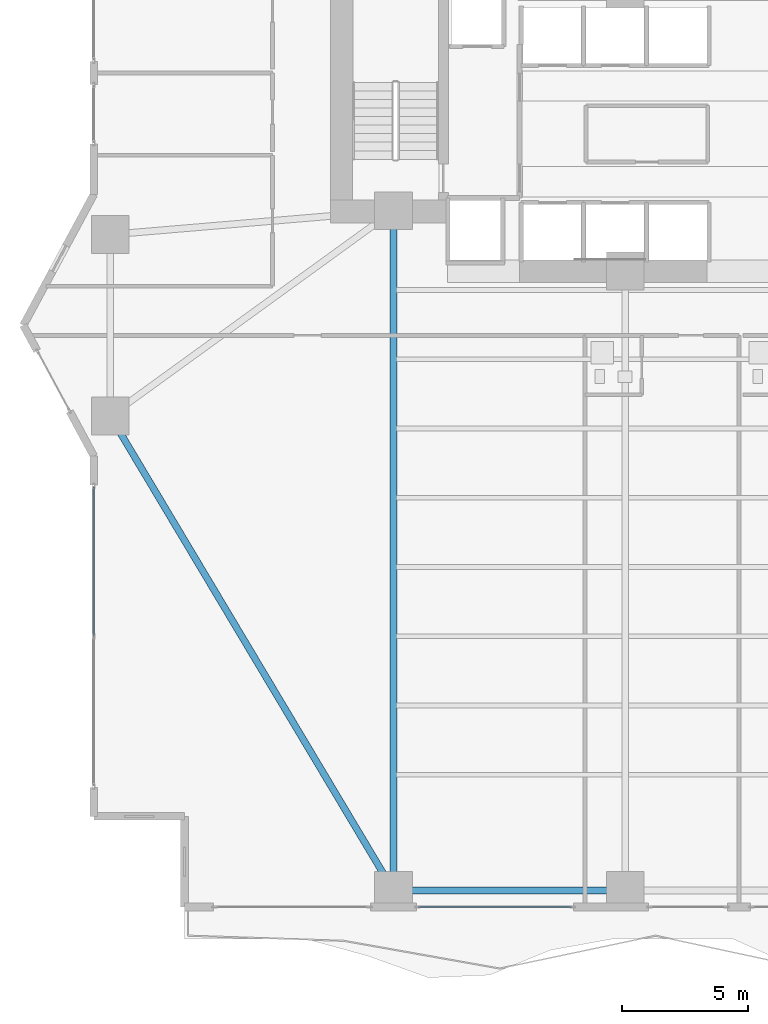
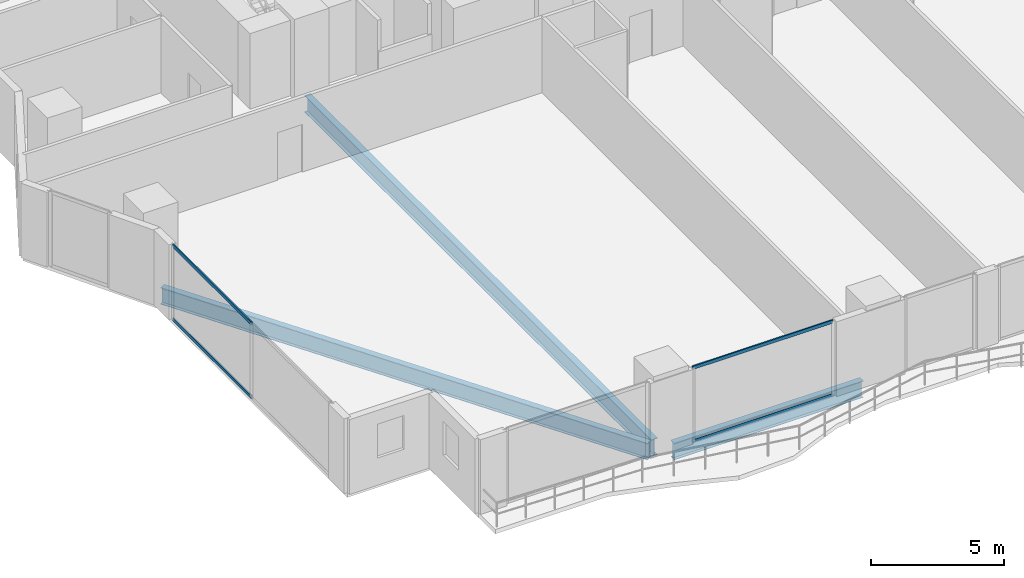
# One storey, part 3 of 30: 4 members, 3 beams, 2 elements without a shape of their own.
"""IFC4 building model written with IfcOpenShell, lengths in metres."""

from ifc_helpers import new_model, si_unit, direction, frame, origin, origin_2d, place, context, subcontext, project, spatial, hollow_rectangle, i_section, extrude, material, layer, layer_set, material_profile, profile_set, type_object, element, aggregate, save


model = new_model("IFC4")

# Units and contexts
model_context = context("Model", 3, precision=1e-05, world=origin(), true_north=direction((0.0, 1.0)))
body_context = subcontext(model_context, "Body", "Model", "MODEL_VIEW")
ifc_project = project(units=[si_unit("LENGTHUNIT", "METRE"), si_unit("AREAUNIT", "SQUARE_METRE"), si_unit("VOLUMEUNIT", "CUBIC_METRE"), si_unit("PLANEANGLEUNIT", "RADIAN"), si_unit("MASSUNIT", "GRAM", prefix="KILO")], contexts=[model_context])

# Site, building, storey
site_placement = place(None, origin())
site = spatial("IfcSite", under=ifc_project, at=site_placement, CompositionType="ELEMENT")
building_placement = place(site_placement, origin())
building = spatial("IfcBuilding", under=site, at=building_placement, Name="Zuhayl Quay Hotel", CompositionType="ELEMENT")
storey_placement = place(building_placement, frame((0.0, 0.0, 82.35009765625)))
storey = spatial("IfcBuildingStorey", under=building, at=storey_placement, Name="L20", CompositionType="ELEMENT", Elevation=82.35009765625)

# Beams
ifc_material_1 = material(Name="Steel ASTM A992 Grade 50", Category="steel")
ifc_material_profile_1 = material_profile(ifc_material_1, i_section(OverallWidth=0.26708984375, OverallDepth=0.761962890625, WebThickness=0.014404296875, FlangeThickness=0.021484375, at=origin_2d()), Name="W30X116")
ifc_profile_set_1 = profile_set([ifc_material_profile_1], Name="Steel ASTM A992 Grade 50")
beam_type = type_object("IfcBeamType", Name="BM_B1_W30X116", PredefinedType="BEAM", material=ifc_profile_set_1)
beam_1_placement = place(storey_placement, frame((-13.300048828125, -22.449951171875, -0.60107421875), z_axis=(1.0, 0.0, 0.0), x_axis=(0.0, 1.0, 0.0)))
element("IfcBeam", 1, at=beam_1_placement, inside=storey, type_object=beam_type, Name="L20 Floor Beam RG_L20_01", PredefinedType="BEAM", context=body_context, shape_type="SweptSolid", body=[
    extrude(i_section(OverallWidth=0.26708984375, OverallDepth=0.761962890625, WebThickness=0.014404296875, FlangeThickness=0.021484375, at=origin_2d()), origin(), (0.0, 0.0, 1.0), 8.199951171875),
])
beam_2_placement = place(storey_placement, frame((-24.793701171875, -4.029296875, -0.60107421875), z_axis=(0.512482593247, -0.85869761361, 0.0), x_axis=(0.85869761361, 0.512482593247, 0.0)))
element("IfcBeam", 2, at=beam_2_placement, inside=storey, type_object=beam_type, Name="L20 Floor Beam RG_L20_12", PredefinedType="BEAM", context=body_context, shape_type="SweptSolid", body=[
    extrude(i_section(OverallWidth=0.26708984375, OverallDepth=0.761962890625, WebThickness=0.014404296875, FlangeThickness=0.021484375, at=origin_2d()), origin(), (0.0, 0.0, 1.0), 20.9521484375),
])
beam_3_placement = place(storey_placement, frame((-13.800048828125, -21.949951171875, -0.60107421875), z_axis=(0.0, 1.0, 0.0), x_axis=(-1.0, 0.0, 0.0)))
element("IfcBeam", 3, at=beam_3_placement, inside=storey, type_object=beam_type, Name="L20 Floor Beam FG_S_L20_1", PredefinedType="BEAM", context=body_context, shape_type="SweptSolid", body=[
    extrude(i_section(OverallWidth=0.26708984375, OverallDepth=0.761962890625, WebThickness=0.014404296875, FlangeThickness=0.021484375, at=origin_2d()), origin(), (0.0, 0.0, 1.0), 26.050048828125),
])

# Curtain wall, members
ifc_material_2 = material(Name="Anodised Aluminium 6063-T6", Category="aluminium")
ifc_layer = layer(ifc_material_2, 0.18994140625, Name="Anodised Aluminium 6063-T6", Category="aluminium")
ifc_layer_set = layer_set([ifc_layer], Name="Anodised Aluminium 6063-T6")
curtain_wall_type = type_object("IfcCurtainWallType", Name="CW_SYS_Z1", PredefinedType="USERDEFINED", material=ifc_layer_set)
curtain_wall_1_placement = place(storey_placement, origin())
curtain_wall_1 = element("IfcCurtainWall", 4, at=curtain_wall_1_placement, inside=storey, type_object=curtain_wall_type, Name="L20 Curtain Wall ENV_L20_E02_CW1", ObjectType="UNITISED CURTAIN WALL", PredefinedType="USERDEFINED")
ifc_material_3 = material(Name="Black-anodised aluminium 6063-T6", Category="aluminium")
ifc_material_profile_2 = material_profile(ifc_material_3, hollow_rectangle(XDim=0.06005859375, YDim=0.14990234375, WallThickness=0.00341796875, at=origin_2d()), Name="ALU150X60")
ifc_profile_set_2 = profile_set([ifc_material_profile_2], Name="Black-anodised aluminium 6063-T6")
member_type = type_object("IfcMemberType", Name="MB_CW_TRN_150", PredefinedType="USERDEFINED", material=ifc_profile_set_2)
member_1_placement = place(storey_placement, frame((-25.699951171875, -12.3125, 0.02978515625), z_axis=(0.0, 1.0, 0.0), x_axis=(-1.0, 0.0, 0.0)))
member_1 = element("IfcMember", 5, at=member_1_placement, type_object=member_type, Name="CW-Z1 transom 2.1", ObjectType="TRANSOM", PredefinedType="USERDEFINED", context=body_context, shape_type="SweptSolid", body=[
    extrude(hollow_rectangle(XDim=0.06005859375, YDim=0.14990234375, WallThickness=0.00341796875, at=origin_2d()), origin(), (0.0, 0.0, 1.0), 5.887451171875),
])
member_2_placement = place(storey_placement, frame((-25.699951171875, -12.3125, 3.39990234375), z_axis=(0.0, 1.0, 0.0), x_axis=(-1.0, 0.0, 0.0)))
member_2 = element("IfcMember", 6, at=member_2_placement, type_object=member_type, Name="CW-Z1 transom 2.2", ObjectType="TRANSOM", PredefinedType="USERDEFINED", context=body_context, shape_type="SweptSolid", body=[
    extrude(hollow_rectangle(XDim=0.06005859375, YDim=0.14990234375, WallThickness=0.00341796875, at=origin_2d()), origin(), (0.0, 0.0, 1.0), 5.887451171875),
])
aggregate(curtain_wall_1, [member_1, member_2])

curtain_wall_2_placement = place(storey_placement, origin())
curtain_wall_2 = element("IfcCurtainWall", 7, at=curtain_wall_2_placement, inside=storey, type_object=curtain_wall_type, Name="L20 Curtain Wall ENV_L20_S_CW5", ObjectType="UNITISED CURTAIN WALL", PredefinedType="USERDEFINED")
member_3_placement = place(storey_placement, frame((-6.72509765625, -23.10009765625, 0.02978515625), z_axis=(-1.0, 0.0, 0.0), x_axis=(0.0, -1.0, 0.0)))
member_3 = element("IfcMember", 8, at=member_3_placement, type_object=member_type, Name="CW-Z1 transom 1.1", ObjectType="TRANSOM", PredefinedType="USERDEFINED", context=body_context, shape_type="SweptSolid", body=[
    extrude(hollow_rectangle(XDim=0.06005859375, YDim=0.14990234375, WallThickness=0.00341796875, at=origin_2d()), origin(), (0.0, 0.0, 1.0), 6.079833984375),
])
member_4_placement = place(storey_placement, frame((-6.72509765625, -23.10009765625, 3.39990234375), z_axis=(-1.0, 0.0, 0.0), x_axis=(0.0, -1.0, 0.0)))
member_4 = element("IfcMember", 9, at=member_4_placement, type_object=member_type, Name="CW-Z1 transom 1.2", ObjectType="TRANSOM", PredefinedType="USERDEFINED", context=body_context, shape_type="SweptSolid", body=[
    extrude(hollow_rectangle(XDim=0.06005859375, YDim=0.14990234375, WallThickness=0.00341796875, at=origin_2d()), origin(), (0.0, 0.0, 1.0), 6.079833984375),
])
aggregate(curtain_wall_2, [member_3, member_4])

save(model, "model.ifc")
